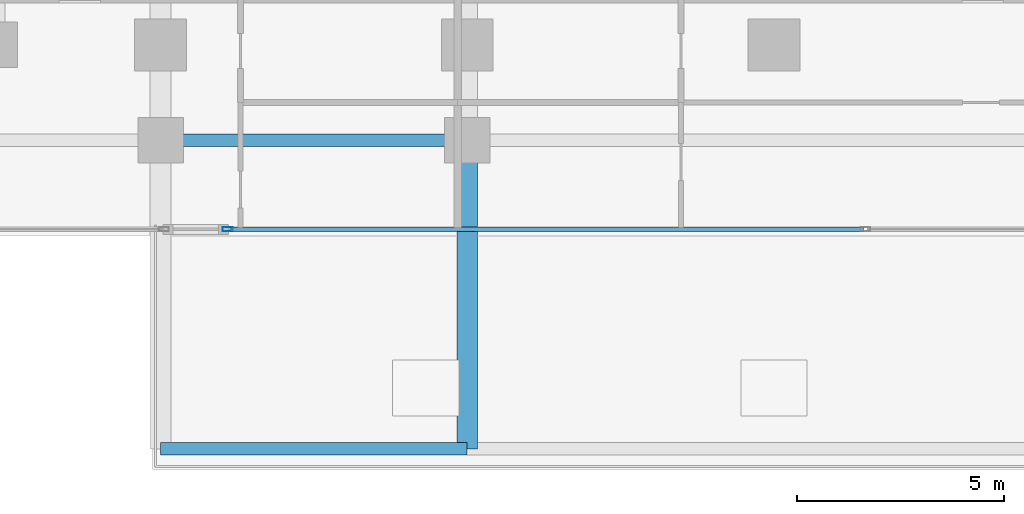
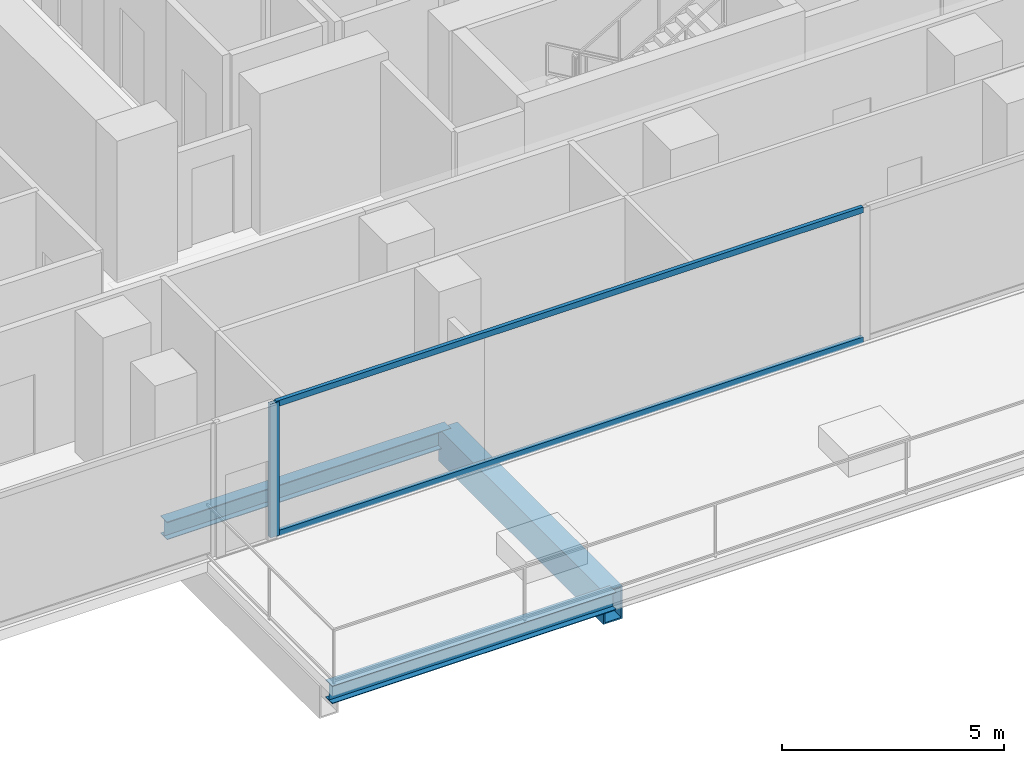
# One storey, part 3 of 29: 3 beams, 3 members, 1 element without a shape of its own.
"""IFC4 building model written with IfcOpenShell, lengths in metres."""

from ifc_helpers import new_model, si_unit, direction, frame, origin, origin_2d, place, context, subcontext, project, spatial, hollow_rectangle, i_section, extrude, material, layer, layer_set, material_profile, profile_set, type_object, element, aggregate, save


model = new_model("IFC4")

# Units and contexts
model_context = context("Model", 3, precision=1e-05, world=origin(), true_north=direction((0.0, 1.0)))
body_context = subcontext(model_context, "Body", "Model", "MODEL_VIEW")
ifc_project = project(units=[si_unit("LENGTHUNIT", "METRE"), si_unit("AREAUNIT", "SQUARE_METRE"), si_unit("VOLUMEUNIT", "CUBIC_METRE"), si_unit("PLANEANGLEUNIT", "RADIAN"), si_unit("MASSUNIT", "GRAM", prefix="KILO")], contexts=[model_context])

# Site, building, storey
site_placement = place(None, origin())
site = spatial("IfcSite", under=ifc_project, at=site_placement, CompositionType="ELEMENT")
building_placement = place(site_placement, origin())
building = spatial("IfcBuilding", under=site, at=building_placement, Name="Khorvyn Point Tower", CompositionType="ELEMENT")
storey_placement = place(building_placement, frame((0.0, 0.0, 85.199951171875)))
storey = spatial("IfcBuildingStorey", under=building, at=storey_placement, Name="L21", CompositionType="ELEMENT", Elevation=85.199951171875)

# Curtain wall, members
ifc_material_1 = material(Name="Anodised aluminium 6063-T6 and laminated Low-E glass", Category="aluminium")
ifc_layer = layer(ifc_material_1, 0.18994140625)
ifc_layer_set = layer_set([ifc_layer], Name="Stick-Built Finned Residential Curtain Wall CW-SYS-02")
curtain_wall_type = type_object("IfcCurtainWallType", Name="Stick-Built Finned Residential Curtain Wall CW-SYS-02", PredefinedType="NOTDEFINED", material=ifc_layer_set)
curtain_wall_placement = place(storey_placement, origin())
curtain_wall = element("IfcCurtainWall", 1, at=curtain_wall_placement, inside=storey, type_object=curtain_wall_type, Name="Curtain Wall", PredefinedType="NOTDEFINED")
ifc_material_2 = material(Name="Anodised aluminium 6063-T6", Category="aluminium")
ifc_material_profile_1 = material_profile(ifc_material_2, hollow_rectangle(XDim=0.10009765625, YDim=0.239990234375, WallThickness=0.0048828125, at=origin_2d()))
ifc_profile_set_1 = profile_set([ifc_material_profile_1], Name="Anodised aluminium 6063-T6 ALU-MUL-100x240")
member_type_1 = type_object("IfcMemberType", Name="Anodised Aluminium 6063-T6 Mullion ALU-MUL-100x240", PredefinedType="MULLION", material=ifc_profile_set_1)
member_1_placement = place(storey_placement, frame((-13.179931640625, -19.25, 0.0), z_axis=(0.0, 0.0, 1.0), x_axis=(0.0, -1.0, 0.0)))
member_1 = element("IfcMember", 2, at=member_1_placement, type_object=member_type_1, Name="Transom", PredefinedType="MULLION", context=body_context, shape_type="SweptSolid", body=[
    extrude(hollow_rectangle(XDim=0.10009765625, YDim=0.239990234375, WallThickness=0.0048828125, at=origin_2d()), origin(), (0.0, 0.0, 1.0), 3.679931640625),
])
ifc_material_profile_2 = material_profile(ifc_material_2, hollow_rectangle(XDim=0.10009765625, YDim=0.159912109375, WallThickness=0.00439453125, at=origin_2d()))
ifc_profile_set_2 = profile_set([ifc_material_profile_2], Name="Anodised aluminium 6063-T6 ALU-TRN-100x160")
member_type_2 = type_object("IfcMemberType", Name="Anodised Aluminium 6063-T6 Transom ALU-TRN-100x160", PredefinedType="USERDEFINED", material=ifc_profile_set_2)
member_2_placement = place(storey_placement, frame((2.159912109375, -19.25, 0.050048828125), z_axis=(-1.0, 0.0, 0.0), x_axis=(0.0, -1.0, 0.0)))
member_2 = element("IfcMember", 3, at=member_2_placement, type_object=member_type_2, Name="Transom", ObjectType="TRANSOM", PredefinedType="USERDEFINED", context=body_context, shape_type="SweptSolid", body=[
    extrude(hollow_rectangle(XDim=0.10009765625, YDim=0.159912109375, WallThickness=0.00439453125, at=origin_2d()), origin(), (0.0, 0.0, 1.0), 15.289794921875),
])
member_3_placement = place(storey_placement, frame((2.159912109375, -19.25, 3.630126953125), z_axis=(-1.0, 0.0, 0.0), x_axis=(0.0, -1.0, 0.0)))
member_3 = element("IfcMember", 4, at=member_3_placement, type_object=member_type_2, Name="Transom", ObjectType="TRANSOM", PredefinedType="USERDEFINED", context=body_context, shape_type="SweptSolid", body=[
    extrude(hollow_rectangle(XDim=0.10009765625, YDim=0.159912109375, WallThickness=0.00439453125, at=origin_2d()), origin(), (0.0, 0.0, 1.0), 15.289794921875),
])
aggregate(curtain_wall, [member_1, member_2, member_3])

# Beams
ifc_material_3 = material(Name="Steel S355", Category="steel")
ifc_material_profile_3 = material_profile(ifc_material_3, i_section(OverallWidth=0.300048828125, OverallDepth=0.488037109375, WebThickness=0.010986328125, FlangeThickness=0.01806640625, at=origin_2d()))
ifc_profile_set_3 = profile_set([ifc_material_profile_3], Name="Steel S355 H488x300x11x18")
beam_type_1 = type_object("IfcBeamType", Name="Steel S355 Spandrel H488x300x11x18", PredefinedType="SPANDREL", material=ifc_profile_set_3)
for number, where, z_axis, x_axis, name in (
    (5, (-14.800048828125, -17.10009765625, -0.52392578125), (1.0, 0.0, 0.0), (0.0, 1.0, 0.0), "Beam"),
    (6, (-14.800048828125, -24.550048828125, -0.52392578125), (1.0, 0.0, 0.0), (0.0, 1.0, 0.0), "Beam"),
):
    element("IfcBeam", number, at=place(storey_placement, frame(where, z_axis=z_axis, x_axis=x_axis)), inside=storey, type_object=beam_type_1, Name=name, PredefinedType="SPANDREL", context=body_context, shape_type="SweptSolid", body=[
        extrude(i_section(OverallWidth=0.300048828125, OverallDepth=0.488037109375, WebThickness=0.010986328125, FlangeThickness=0.01806640625, at=origin_2d()), origin(), (0.0, 0.0, 1.0), 7.400146484375),
    ])
ifc_material_4 = material(Name="Steel S450", Category="steel")
ifc_material_profile_4 = material_profile(ifc_material_4, hollow_rectangle(XDim=0.5, YDim=0.89990234375, WallThickness=0.0400390625, at=origin_2d()))
ifc_profile_set_4 = profile_set([ifc_material_profile_4], Name="Steel S450 BOX900x500x40")
beam_type_2 = type_object("IfcBeamType", Name="Steel S450 Beam BOX900x500x40", PredefinedType="BEAM", material=ifc_profile_set_4)
beam_placement = place(storey_placement, frame((-7.39990234375, -24.550048828125, -0.72998046875), z_axis=(0.0, 1.0, 0.0), x_axis=(-1.0, 0.0, 0.0)))
element("IfcBeam", 7, at=beam_placement, inside=storey, type_object=beam_type_2, Name="Beam", PredefinedType="BEAM", context=body_context, shape_type="SweptSolid", body=[
    extrude(hollow_rectangle(XDim=0.5, YDim=0.89990234375, WallThickness=0.0400390625, at=origin_2d()), origin(), (0.0, 0.0, 1.0), 7.449951171875),
])

save(model, "model.ifc")
